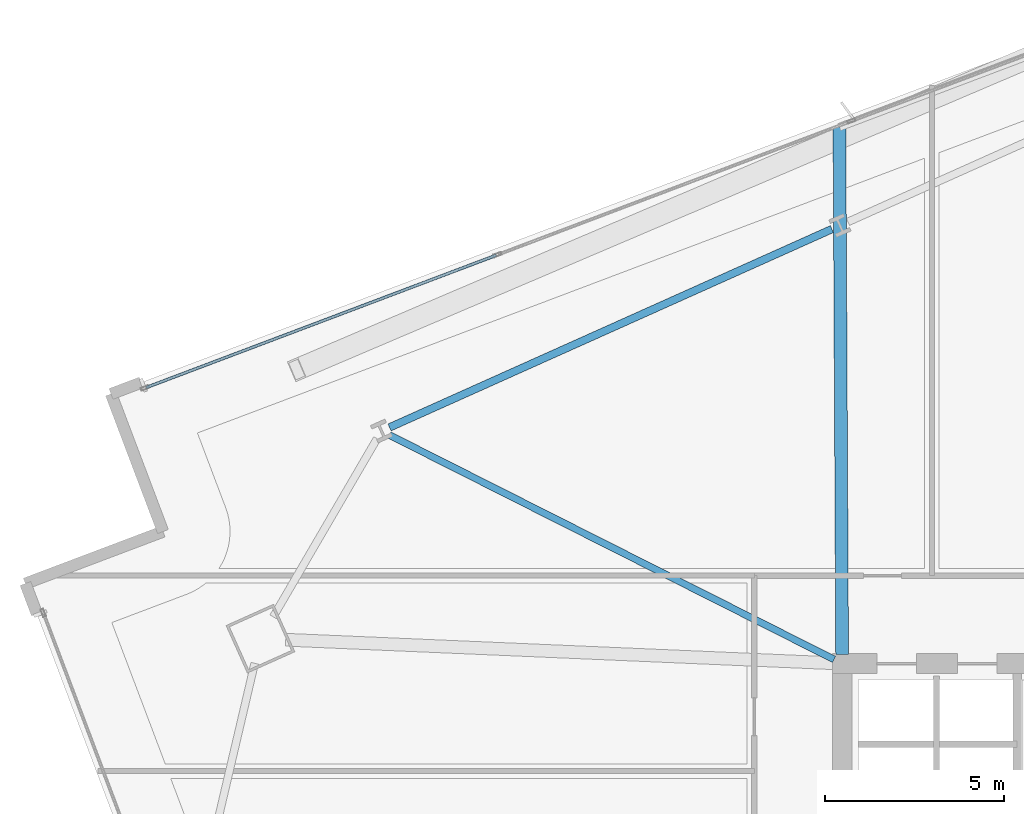
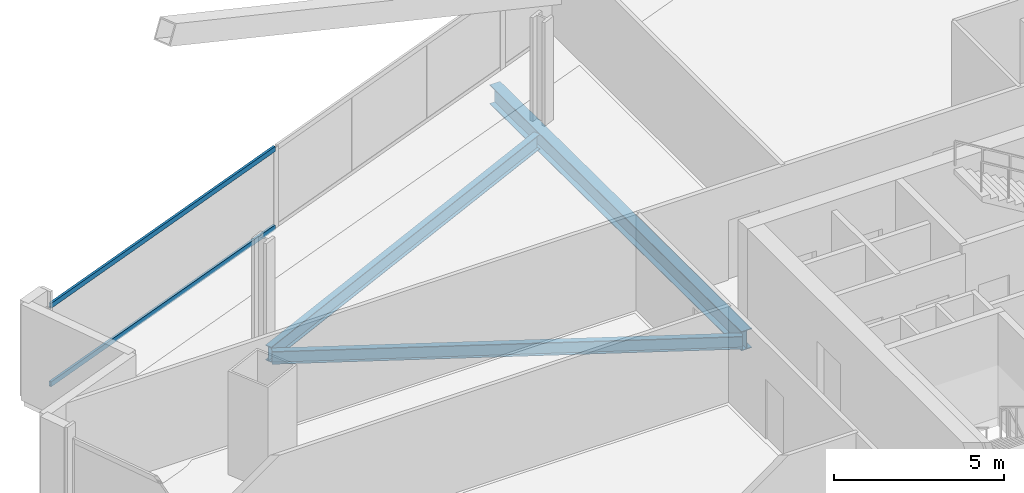
# One storey, part 19 of 37: 3 beams, 2 members, 1 element without a shape of its own.
"""IFC4 building model written with IfcOpenShell, lengths in metres."""

from ifc_helpers import new_model, si_unit, direction, frame, origin, origin_2d, place, context, subcontext, project, spatial, hollow_rectangle, i_section, extrude, material, material_profile, profile_set, type_object, element, aggregate, save


model = new_model("IFC4")

# Units and contexts
model_context = context("Model", 3, precision=1e-05, world=origin(), true_north=direction((0.0, 1.0)))
body_context = subcontext(model_context, "Body", "Model", "MODEL_VIEW")
ifc_project = project(units=[si_unit("LENGTHUNIT", "METRE"), si_unit("AREAUNIT", "SQUARE_METRE"), si_unit("VOLUMEUNIT", "CUBIC_METRE"), si_unit("PLANEANGLEUNIT", "RADIAN"), si_unit("MASSUNIT", "GRAM", prefix="KILO")], contexts=[model_context])

# Site, building, storey
site_placement = place(None, origin())
site = spatial("IfcSite", under=ifc_project, at=site_placement, CompositionType="ELEMENT")
building_placement = place(site_placement, origin())
building = spatial("IfcBuilding", under=site, at=building_placement, Name="Haldenkirk Collegiate Tower", CompositionType="ELEMENT")
storey_placement = place(building_placement, frame((0.0, 0.0, 97.949951171875)))
storey = spatial("IfcBuildingStorey", under=building, at=storey_placement, Name="L23", CompositionType="ELEMENT", Elevation=97.949951171875)

# Beams
ifc_material_1 = material(Name="Steel ASTM A992 Grade 50", Category="steel")
ifc_material_profile_1 = material_profile(ifc_material_1, i_section(OverallWidth=0.35498046875, OverallDepth=0.696044921875, WebThickness=0.015380859375, FlangeThickness=0.02490234375, at=origin_2d()), Name="W27X146")
ifc_profile_set_1 = profile_set([ifc_material_profile_1], Name="Steel ASTM A992 Grade 50")
beam_type_1 = type_object("IfcBeamType", Name="BM-GIRDER-W27X146", PredefinedType="BEAM", material=ifc_profile_set_1)
beam_1_placement = place(storey_placement, frame((26.923828125, 48.95361328125, -0.64794921875), z_axis=(0.005099093261, -0.999986999539, 0.0), x_axis=(0.999986999539, 0.005099093261, 0.0)))
element("IfcBeam", 1, at=beam_1_placement, inside=storey, type_object=beam_type_1, Name="L23 primary floor girder 12", PredefinedType="BEAM", context=body_context, shape_type="SweptSolid", body=[
    extrude(i_section(OverallWidth=0.35498046875, OverallDepth=0.696044921875, WebThickness=0.015380859375, FlangeThickness=0.02490234375, at=origin_2d()), origin(), (0.0, 0.0, 1.0), 14.698974609375),
])
ifc_material_profile_2 = material_profile(ifc_material_1, i_section(OverallWidth=0.19189453125, OverallDepth=0.462890625, WebThickness=0.010498046875, FlangeThickness=0.017578125, at=origin_2d()), Name="W18X60")
ifc_profile_set_2 = profile_set([ifc_material_profile_2], Name="Steel ASTM A992 Grade 50")
beam_type_2 = type_object("IfcBeamType", Name="BM-JOIST-W18X60", PredefinedType="JOIST", material=ifc_profile_set_2)
beam_2_placement = place(storey_placement, frame((14.378662109375, 40.371337890625, -0.531494140625), z_axis=(0.892707841941, -0.450635893974, 0.0), x_axis=(0.450635893974, 0.892707841941, 0.0)))
element("IfcBeam", 2, at=beam_2_placement, inside=storey, type_object=beam_type_2, Name="L23 composite floor joist 13", PredefinedType="JOIST", context=body_context, shape_type="SweptSolid", body=[
    extrude(i_section(OverallWidth=0.19189453125, OverallDepth=0.462890625, WebThickness=0.010498046875, FlangeThickness=0.017578125, at=origin_2d()), origin(), (0.0, 0.0, 1.0), 13.88330078125),
])
ifc_material_profile_3 = material_profile(ifc_material_1, i_section(OverallWidth=0.2119140625, OverallDepth=0.5439453125, WebThickness=0.01318359375, FlangeThickness=0.021240234375, at=origin_2d()), Name="W21X83")
ifc_profile_set_3 = profile_set([ifc_material_profile_3], Name="Steel ASTM A992 Grade 50")
beam_type_3 = type_object("IfcBeamType", Name="BM-SPANDREL-W21X83", PredefinedType="SPANDREL", material=ifc_profile_set_3)
beam_3_placement = place(storey_placement, frame((26.7138671875, 46.111083984375, -0.572021484375), z_axis=(-0.912476765144, -0.409128528793, 0.0), x_axis=(0.409128528793, -0.912476765144, 0.0)))
element("IfcBeam", 3, at=beam_3_placement, inside=storey, type_object=beam_type_3, Name="L23 perimeter spandrel beam 11", PredefinedType="SPANDREL", context=body_context, shape_type="SweptSolid", body=[
    extrude(i_section(OverallWidth=0.2119140625, OverallDepth=0.5439453125, WebThickness=0.01318359375, FlangeThickness=0.021240234375, at=origin_2d()), origin(), (0.0, 0.0, 1.0), 13.512939453125),
])

# Curtain wall, members
ifc_material_2 = material(Name="Anodised architectural bronze aluminium", Category="aluminium")
curtain_wall_type = type_object("IfcCurtainWallType", Name="CW-SYS1-CONVEX-LOW", PredefinedType="USERDEFINED", material=ifc_material_2)
curtain_wall_placement = place(storey_placement, origin())
curtain_wall = element("IfcCurtainWall", 4, at=curtain_wall_placement, inside=storey, type_object=curtain_wall_type, Name="L23 Lower tower convex bronze-framed unitised curtain wall", ObjectType="UNITISED CURTAIN WALL", PredefinedType="USERDEFINED")
ifc_material_profile_4 = material_profile(ifc_material_2, hollow_rectangle(XDim=0.080078125, YDim=0.179931640625, WallThickness=0.0048828125, at=origin_2d()), Name="CW-TRN-1A")
ifc_profile_set_4 = profile_set([ifc_material_profile_4], Name="Anodised architectural bronze aluminium")
member_type = type_object("IfcMemberType", Name="CW-TRN-1A", PredefinedType="USERDEFINED", material=ifc_profile_set_4)
member_1_placement = place(storey_placement, frame((7.59912109375, 41.694091796875, 0.0400390625), z_axis=(0.935442168103, 0.353479773303, 0.0), x_axis=(-0.353479773303, 0.935442168103, 0.0)))
member_1 = element("IfcMember", 5, at=member_1_placement, type_object=member_type, Name="CW-1A transom 1.1", ObjectType="TRANSOM", PredefinedType="USERDEFINED", context=body_context, shape_type="SweptSolid", body=[
    extrude(hollow_rectangle(XDim=0.080078125, YDim=0.179931640625, WallThickness=0.0048828125, at=origin_2d()), origin(), (0.0, 0.0, 1.0), 10.429931640625),
])
member_2_placement = place(storey_placement, frame((7.59912109375, 41.694091796875, 2.861083984375), z_axis=(0.935442168103, 0.353479773303, 0.0), x_axis=(-0.353479773303, 0.935442168103, 0.0)))
member_2 = element("IfcMember", 6, at=member_2_placement, type_object=member_type, Name="CW-1A transom 1.2", ObjectType="TRANSOM", PredefinedType="USERDEFINED", context=body_context, shape_type="SweptSolid", body=[
    extrude(hollow_rectangle(XDim=0.080078125, YDim=0.179931640625, WallThickness=0.0048828125, at=origin_2d()), origin(), (0.0, 0.0, 1.0), 10.429931640625),
])
aggregate(curtain_wall, [member_1, member_2])

save(model, "model.ifc")
